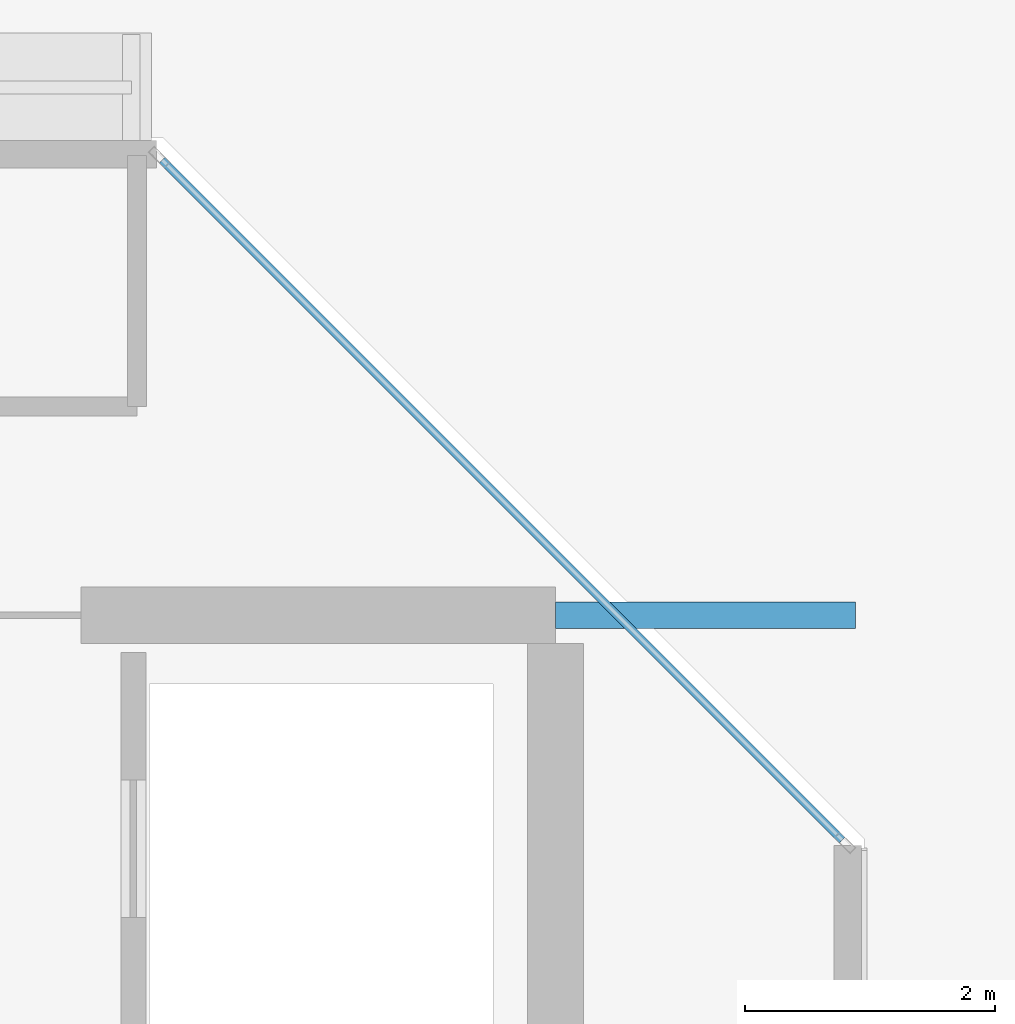
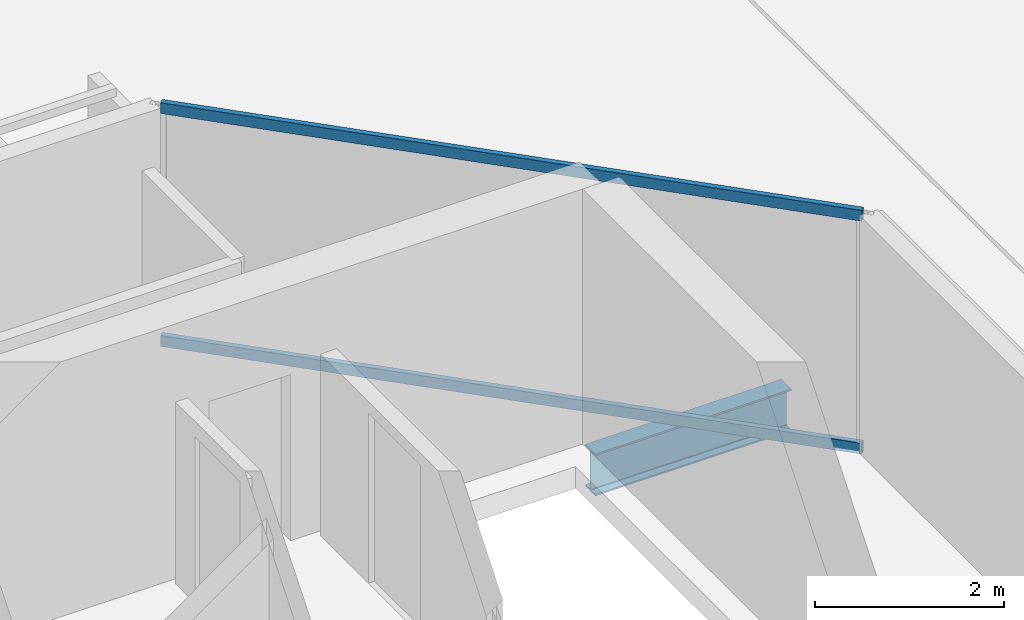
# One storey, part 6 of 30: 2 members, 1 beam, 1 element without a shape of its own.
"""IFC4 building model written with IfcOpenShell, lengths in metres."""

from ifc_helpers import new_model, si_unit, direction, frame, origin, origin_2d, place, context, subcontext, project, spatial, hollow_rectangle, i_section, extrude, material, layer, layer_set, material_profile, profile_set, type_object, element, aggregate, save


model = new_model("IFC4")

# Units and contexts
model_context = context("Model", 3, precision=1e-05, world=origin(), true_north=direction((0.0, 1.0)))
body_context = subcontext(model_context, "Body", "Model", "MODEL_VIEW")
ifc_project = project(units=[si_unit("LENGTHUNIT", "METRE"), si_unit("AREAUNIT", "SQUARE_METRE"), si_unit("VOLUMEUNIT", "CUBIC_METRE"), si_unit("PLANEANGLEUNIT", "RADIAN"), si_unit("MASSUNIT", "GRAM", prefix="KILO")], contexts=[model_context])

# Site, building, storey
site_placement = place(None, origin())
site = spatial("IfcSite", under=ifc_project, at=site_placement, CompositionType="ELEMENT")
building_placement = place(site_placement, origin())
building = spatial("IfcBuilding", under=site, at=building_placement, Name="Tanjung Sevakor Pilgrim Tower", CompositionType="ELEMENT")
storey_placement = place(building_placement, frame((0.0, 0.0, 229.35009765625)))
storey = spatial("IfcBuildingStorey", under=building, at=storey_placement, Name="L64", CompositionType="ELEMENT", Elevation=229.35009765625)

# Beam
ifc_material_1 = material(Name="Steel S355J2", Category="steel")
ifc_material_profile_1 = material_profile(ifc_material_1, i_section(OverallWidth=0.2119140625, OverallDepth=0.54443359375, WebThickness=0.0126953125, FlangeThickness=0.021240234375, FilletRadius=0.0126953125, at=origin_2d()))
ifc_profile_set_1 = profile_set([ifc_material_profile_1], Name="Steel S355J2")
beam_type = type_object("IfcBeamType", Name="BM-B-G5-UB_533x210x122", PredefinedType="BEAM", material=ifc_profile_set_1)
beam_placement = place(storey_placement, frame((36.0, 42.60009765625, -0.552490234375), z_axis=(1.0, 0.0, 0.0), x_axis=(0.0, 1.0, 0.0)))
element("IfcBeam", 1, at=beam_placement, inside=storey, type_object=beam_type, Name="L64 West Peak Cantilever Girder 2", PredefinedType="BEAM", context=body_context, shape_type="SweptSolid", body=[
    extrude(i_section(OverallWidth=0.2119140625, OverallDepth=0.54443359375, WebThickness=0.0126953125, FlangeThickness=0.021240234375, FilletRadius=0.0126953125, at=origin_2d()), origin(), (0.0, 0.0, 1.0), 2.39990234375),
])

# Curtain wall, members
ifc_material_2 = material(Name="Aluminium 6063-T6 and Low-E Glass", Category="aluminium")
ifc_layer = layer(ifc_material_2, 0.179931640625)
ifc_layer_set = layer_set([ifc_layer], Name="CW-SYS-CHAM")
curtain_wall_type = type_object("IfcCurtainWallType", Name="CW-SYS-CHAM", PredefinedType="NOTDEFINED", material=ifc_layer_set)
curtain_wall_placement = place(storey_placement, origin())
curtain_wall = element("IfcCurtainWall", 2, at=curtain_wall_placement, inside=storey, type_object=curtain_wall_type, Name="L64 Curtain Wall CW-CHM-L64-WEST-3", PredefinedType="NOTDEFINED")
ifc_material_3 = material(Name="Aluminium 6063-T6", Category="aluminium")
ifc_material_profile_2 = material_profile(ifc_material_3, hollow_rectangle(XDim=0.06494140625, YDim=0.139892578125, WallThickness=0.00390625, at=origin_2d()))
ifc_profile_set_2 = profile_set([ifc_material_profile_2], Name="Aluminium 6063-T6")
member_type = type_object("IfcMemberType", Name="TYPE-CWT-1", PredefinedType="USERDEFINED", material=ifc_profile_set_2)
member_1_placement = place(storey_placement, frame((38.2939453125, 40.80029296875, 0.032470703125), z_axis=(-0.707090924819, 0.707122637198, 0.0), x_axis=(-0.707122637198, -0.707090924819, 0.0)))
member_1 = element("IfcMember", 3, at=member_1_placement, type_object=member_type, Name="CW-CHM transom 1.1", ObjectType="TRANSOM", PredefinedType="USERDEFINED", context=body_context, shape_type="SweptSolid", body=[
    extrude(hollow_rectangle(XDim=0.06494140625, YDim=0.139892578125, WallThickness=0.00390625, at=origin_2d()), origin(), (0.0, 0.0, 1.0), 7.698486328125),
])
member_2_placement = place(storey_placement, frame((38.2939453125, 40.80029296875, 3.04736328125), z_axis=(-0.707090924819, 0.707122637198, 0.0), x_axis=(-0.707122637198, -0.707090924819, 0.0)))
member_2 = element("IfcMember", 4, at=member_2_placement, type_object=member_type, Name="CW-CHM transom 1.2", ObjectType="TRANSOM", PredefinedType="USERDEFINED", context=body_context, shape_type="SweptSolid", body=[
    extrude(hollow_rectangle(XDim=0.06494140625, YDim=0.139892578125, WallThickness=0.00390625, at=origin_2d()), origin(), (0.0, 0.0, 1.0), 7.698486328125),
])
aggregate(curtain_wall, [member_1, member_2])

save(model, "model.ifc")
